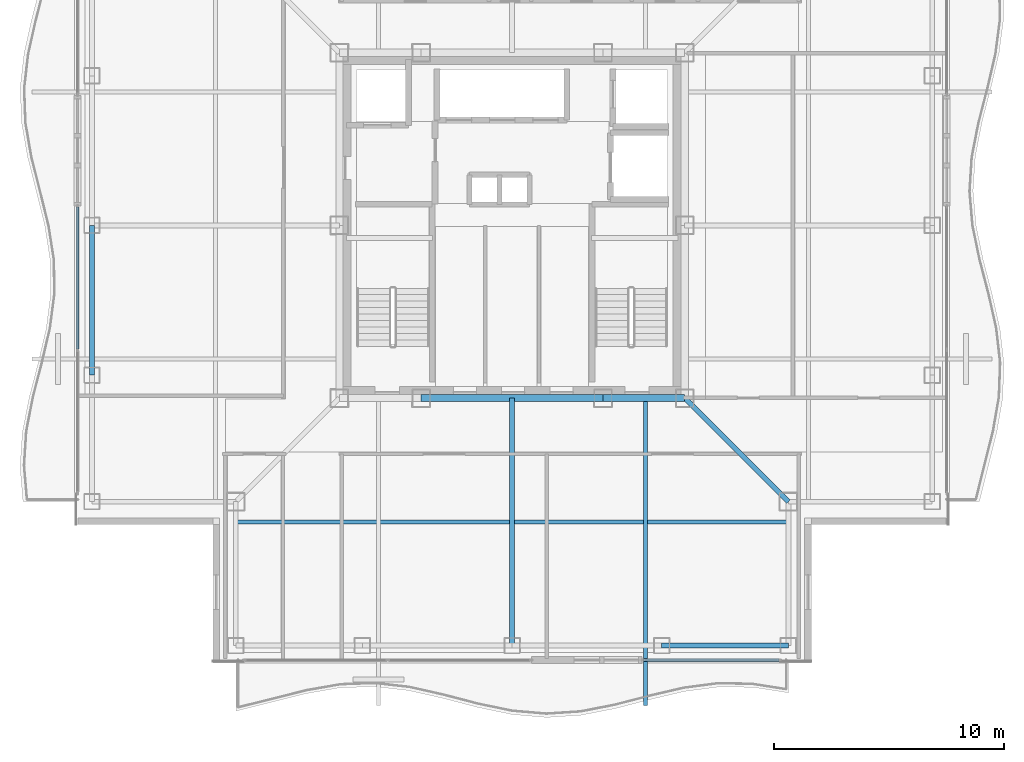
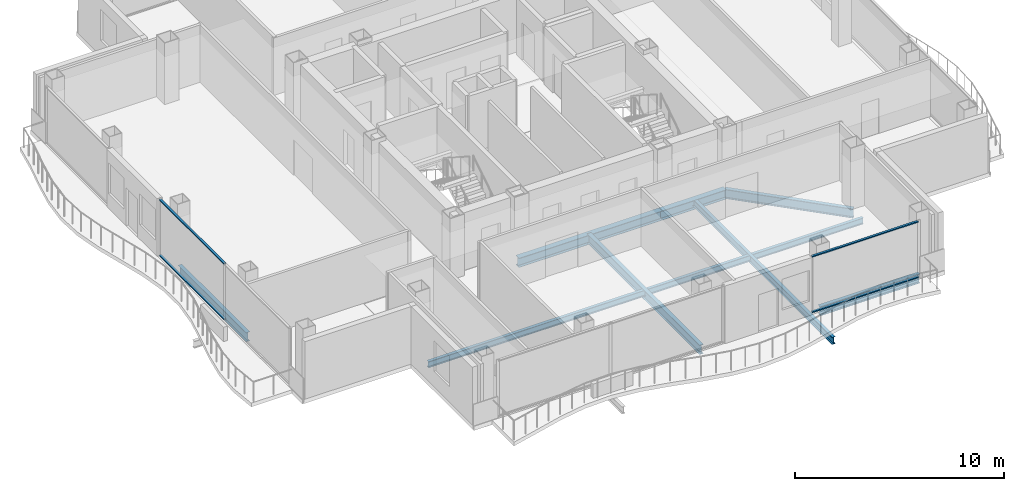
# One storey, part 3 of 17: 8 beams, 4 members, 2 elements without a shape of their own.
"""IFC4 building model written with IfcOpenShell, lengths in metres."""

from ifc_helpers import new_model, si_unit, direction, frame, origin, origin_2d, place, context, subcontext, project, spatial, rectangle, i_section, extrude, material, layer, layer_set, material_profile, profile_set, type_object, element, aggregate, save


model = new_model("IFC4")

# Units and contexts
model_context = context("Model", 3, precision=1e-05, world=origin(), true_north=direction((0.0, 1.0)))
body_context = subcontext(model_context, "Body", "Model", "MODEL_VIEW")
ifc_project = project(units=[si_unit("LENGTHUNIT", "METRE"), si_unit("AREAUNIT", "SQUARE_METRE"), si_unit("VOLUMEUNIT", "CUBIC_METRE"), si_unit("PLANEANGLEUNIT", "RADIAN"), si_unit("MASSUNIT", "GRAM", prefix="KILO")], contexts=[model_context])

# Site, building, storey
site_placement = place(None, origin())
site = spatial("IfcSite", under=ifc_project, at=site_placement, CompositionType="ELEMENT")
building_placement = place(site_placement, origin())
building = spatial("IfcBuilding", under=site, at=building_placement, Name="Trevonay Congress Spire", CompositionType="ELEMENT")
storey_placement = place(building_placement, frame((0.0, 0.0, 264.800048828125)))
storey = spatial("IfcBuildingStorey", under=building, at=storey_placement, Name="L69", CompositionType="ELEMENT", Elevation=264.800048828125)

# Beams
ifc_material_1 = material(Name="Steel ASTM A572 Grade 50", Category="steel")
ifc_material_profile_1 = material_profile(ifc_material_1, i_section(OverallWidth=0.2119140625, OverallDepth=0.5439453125, WebThickness=0.01318359375, FlangeThickness=0.021240234375, FilletRadius=0.014892578125, at=origin_2d()), Name="W530x123")
ifc_profile_set_1 = profile_set([ifc_material_profile_1], Name="Steel ASTM A572 Grade 50")
beam_type_1 = type_object("IfcBeamType", Name="BM-GIRD-W530X123", PredefinedType="BEAM", material=ifc_profile_set_1)
beam_1_placement = place(storey_placement, frame((7.5, -7.5, -0.511962890625), z_axis=(0.707106781187, -0.707106781187, 0.0), x_axis=(0.707106781187, 0.707106781187, 0.0)))
element("IfcBeam", 1, at=beam_1_placement, inside=storey, type_object=beam_type_1, Name="L69 structural beam BM-L69-CDSE", PredefinedType="BEAM", context=body_context, shape_type="SweptSolid", body=[
    extrude(i_section(OverallWidth=0.2119140625, OverallDepth=0.5439453125, WebThickness=0.01318359375, FlangeThickness=0.021240234375, FilletRadius=0.014892578125, at=origin_2d()), origin(), (0.0, 0.0, 1.0), 6.364013671875),
])
beam_2_placement = place(storey_placement, frame((0.0, -7.5, -0.511962890625), z_axis=(0.0, -1.0, 0.0), x_axis=(1.0, 0.0, 0.0)))
element("IfcBeam", 2, at=beam_2_placement, inside=storey, type_object=beam_type_1, Name="L69 structural beam BM-L69-GC-S", PredefinedType="BEAM", context=body_context, shape_type="SweptSolid", body=[
    extrude(i_section(OverallWidth=0.2119140625, OverallDepth=0.5439453125, WebThickness=0.01318359375, FlangeThickness=0.021240234375, FilletRadius=0.014892578125, at=origin_2d()), origin(), (0.0, 0.0, 1.0), 10.75),
])
ifc_material_profile_2 = material_profile(ifc_material_1, i_section(OverallWidth=0.31201171875, OverallDepth=0.54296875, WebThickness=0.0126953125, FlangeThickness=0.020263671875, FilletRadius=0.014892578125, at=origin_2d()), Name="W530x150")
ifc_profile_set_2 = profile_set([ifc_material_profile_2], Name="Steel ASTM A572 Grade 50")
beam_type_2 = type_object("IfcBeamType", Name="BM-GIRD-W530X150", PredefinedType="BEAM", material=ifc_profile_set_2)
beam_3_placement = place(storey_placement, frame((-3.949951171875, -7.5, -0.511474609375), z_axis=(1.0, 0.0, 0.0), x_axis=(0.0, 1.0, 0.0)))
element("IfcBeam", 3, at=beam_3_placement, inside=storey, type_object=beam_type_2, Name="L69 structural beam BM-L69-CR-S2", PredefinedType="BEAM", context=body_context, shape_type="SweptSolid", body=[
    extrude(i_section(OverallWidth=0.31201171875, OverallDepth=0.54296875, WebThickness=0.0126953125, FlangeThickness=0.020263671875, FilletRadius=0.014892578125, at=origin_2d()), origin(), (0.0, 0.0, 1.0), 7.89990234375),
])
beam_4_placement = place(storey_placement, frame((3.949951171875, -7.5, -0.511474609375), z_axis=(1.0, 0.0, 0.0), x_axis=(0.0, 1.0, 0.0)))
element("IfcBeam", 4, at=beam_4_placement, inside=storey, type_object=beam_type_2, Name="L69 structural beam BM-L69-CR-S3", PredefinedType="BEAM", context=body_context, shape_type="SweptSolid", body=[
    extrude(i_section(OverallWidth=0.31201171875, OverallDepth=0.54296875, WebThickness=0.0126953125, FlangeThickness=0.020263671875, FilletRadius=0.014892578125, at=origin_2d()), origin(), (0.0, 0.0, 1.0), 3.550048828125),
])
ifc_material_profile_3 = material_profile(ifc_material_1, i_section(OverallWidth=0.208984375, OverallDepth=0.532958984375, WebThickness=0.01025390625, FlangeThickness=0.015625, FilletRadius=0.014892578125, at=origin_2d()), Name="W530x92")
ifc_profile_set_3 = profile_set([ifc_material_profile_3], Name="Steel ASTM A572 Grade 50")
beam_type_3 = type_object("IfcBeamType", Name="BM-RING-W530X92", PredefinedType="BEAM", material=ifc_profile_set_3)
beam_5_placement = place(storey_placement, frame((-18.25, -6.5, -0.506591796875), z_axis=(0.0, 1.0, 0.0), x_axis=(-1.0, 0.0, 0.0)))
element("IfcBeam", 5, at=beam_5_placement, inside=storey, type_object=beam_type_3, Name="L69 structural beam BM-L69-PW2", PredefinedType="BEAM", context=body_context, shape_type="SweptSolid", body=[
    extrude(i_section(OverallWidth=0.208984375, OverallDepth=0.532958984375, WebThickness=0.01025390625, FlangeThickness=0.015625, FilletRadius=0.014892578125, at=origin_2d()), origin(), (0.0, 0.0, 1.0), 6.5),
])
beam_6_placement = place(storey_placement, frame((6.5, -18.25, -0.506591796875), z_axis=(1.0, 0.0, 0.0), x_axis=(0.0, 1.0, 0.0)))
element("IfcBeam", 6, at=beam_6_placement, inside=storey, type_object=beam_type_3, Name="L69 structural beam BM-L69-PS4", PredefinedType="BEAM", context=body_context, shape_type="SweptSolid", body=[
    extrude(i_section(OverallWidth=0.208984375, OverallDepth=0.532958984375, WebThickness=0.01025390625, FlangeThickness=0.015625, FilletRadius=0.014892578125, at=origin_2d()), origin(), (0.0, 0.0, 1.0), 5.5),
])
ifc_material_profile_4 = material_profile(ifc_material_1, i_section(OverallWidth=0.180908203125, OverallDepth=0.4169921875, WebThickness=0.010986328125, FlangeThickness=0.018310546875, FilletRadius=0.012939453125, at=origin_2d()), Name="W410x85")
ifc_profile_set_4 = profile_set([ifc_material_profile_4], Name="Steel ASTM A572 Grade 50")
beam_type_4 = type_object("IfcBeamType", Name="BM-WAV-LOOKOUT", PredefinedType="BEAM", material=ifc_profile_set_4)
beam_7_placement = place(storey_placement, frame((5.800048828125, -7.5, -0.448486328125), z_axis=(0.0, -1.0, 0.0), x_axis=(1.0, 0.0, 0.0)))
element("IfcBeam", 7, at=beam_7_placement, inside=storey, type_object=beam_type_4, Name="L69 structural beam WLK-L69-S2", PredefinedType="BEAM", context=body_context, shape_type="SweptSolid", body=[
    extrude(i_section(OverallWidth=0.180908203125, OverallDepth=0.4169921875, WebThickness=0.010986328125, FlangeThickness=0.018310546875, FilletRadius=0.012939453125, at=origin_2d()), origin(), (0.0, 0.0, 1.0), 13.35009765625),
])

# Curtain wall, members
ifc_material_2 = material(Name="Pale Anodised Aluminium EN AW-6063-T6", Category="aluminium")
ifc_layer = layer(ifc_material_2, 0.1650390625, Name="Pale Anodised Aluminium EN AW-6063-T6")
ifc_layer_set = layer_set([ifc_layer], Name="Pale Anodised Aluminium EN AW-6063-T6")
curtain_wall_type = type_object("IfcCurtainWallType", Name="CW-SYS05-DIPLOM-PALE-METAL", PredefinedType="NOTDEFINED", material=ifc_layer_set)
curtain_wall_1_placement = place(storey_placement, origin())
curtain_wall_1 = element("IfcCurtainWall", 8, at=curtain_wall_1_placement, inside=storey, type_object=curtain_wall_type, Name="L69 SB unitised curtain wall", PredefinedType="NOTDEFINED")
ifc_material_profile_5 = material_profile(ifc_material_2, rectangle(XDim=0.1201171875, YDim=0.06005859375, at=origin_2d()), Name="CW-TRANSOM-120-ALUMINIUM")
ifc_profile_set_5 = profile_set([ifc_material_profile_5], Name="Pale Anodised Aluminium EN AW-6063-T6")
member_type = type_object("IfcMemberType", Name="CW-TRANSOM-120-ALUMINIUM", PredefinedType="USERDEFINED", material=ifc_profile_set_5)
member_1_placement = place(storey_placement, frame((5.7099609375, -18.8798828125, 0.06005859375), z_axis=(1.0, 0.0, 0.0), x_axis=(0.0, 1.0, 0.0)))
member_1 = element("IfcMember", 9, at=member_1_placement, type_object=member_type, Name="CW05 transom 1.1", ObjectType="TRANSOM", PredefinedType="USERDEFINED", context=body_context, shape_type="SweptSolid", body=[
    extrude(rectangle(XDim=0.1201171875, YDim=0.06005859375, at=origin_2d()), origin(), (0.0, 0.0, 1.0), 5.880126953125),
])
member_2_placement = place(storey_placement, frame((5.7099609375, -18.8798828125, 3.300048828125), z_axis=(1.0, 0.0, 0.0), x_axis=(0.0, 1.0, 0.0)))
member_2 = element("IfcMember", 10, at=member_2_placement, type_object=member_type, Name="CW05 transom 1.2", ObjectType="TRANSOM", PredefinedType="USERDEFINED", context=body_context, shape_type="SweptSolid", body=[
    extrude(rectangle(XDim=0.1201171875, YDim=0.06005859375, at=origin_2d()), origin(), (0.0, 0.0, 1.0), 5.880126953125),
])
aggregate(curtain_wall_1, [member_1, member_2])

curtain_wall_2_placement = place(storey_placement, origin())
curtain_wall_2 = element("IfcCurtainWall", 11, at=curtain_wall_2_placement, inside=storey, type_object=curtain_wall_type, Name="L69 WA unitised curtain wall", PredefinedType="NOTDEFINED")
member_3_placement = place(storey_placement, frame((-18.8798828125, -5.3701171875, 0.06005859375), z_axis=(0.0, 1.0, 0.0), x_axis=(-1.0, 0.0, 0.0)))
member_3 = element("IfcMember", 12, at=member_3_placement, type_object=member_type, Name="CW05 transom 2.1", ObjectType="TRANSOM", PredefinedType="USERDEFINED", context=body_context, shape_type="SweptSolid", body=[
    extrude(rectangle(XDim=0.1201171875, YDim=0.06005859375, at=origin_2d()), origin(), (0.0, 0.0, 1.0), 6.16015625),
])
member_4_placement = place(storey_placement, frame((-18.8798828125, -5.3701171875, 3.300048828125), z_axis=(0.0, 1.0, 0.0), x_axis=(-1.0, 0.0, 0.0)))
member_4 = element("IfcMember", 13, at=member_4_placement, type_object=member_type, Name="CW05 transom 2.2", ObjectType="TRANSOM", PredefinedType="USERDEFINED", context=body_context, shape_type="SweptSolid", body=[
    extrude(rectangle(XDim=0.1201171875, YDim=0.06005859375, at=origin_2d()), origin(), (0.0, 0.0, 1.0), 6.16015625),
])
aggregate(curtain_wall_2, [member_3, member_4])

# Beam
ifc_material_profile_6 = material_profile(ifc_material_1, i_section(OverallWidth=0.172119140625, OverallDepth=0.35791015625, WebThickness=0.0078125, FlangeThickness=0.01318359375, FilletRadius=0.011962890625, at=origin_2d()), Name="W360x57.8")
ifc_profile_set_6 = profile_set([ifc_material_profile_6], Name="Steel ASTM A572 Grade 50")
beam_type_5 = type_object("IfcBeamType", Name="JS-COMP-W360X57", PredefinedType="JOIST", material=ifc_profile_set_6)
beam_8_placement = place(storey_placement, frame((-12.0, -12.875, -0.4189453125), z_axis=(1.0, 0.0, 0.0), x_axis=(0.0, 1.0, 0.0)))
element("IfcBeam", 14, at=beam_8_placement, inside=storey, type_object=beam_type_5, Name="L69 structural beam JS-L69-RING-S", PredefinedType="JOIST", context=body_context, shape_type="SweptSolid", body=[
    extrude(i_section(OverallWidth=0.172119140625, OverallDepth=0.35791015625, WebThickness=0.0078125, FlangeThickness=0.01318359375, FilletRadius=0.011962890625, at=origin_2d()), origin(), (0.0, 0.0, 1.0), 24.0),
])

save(model, "model.ifc")
